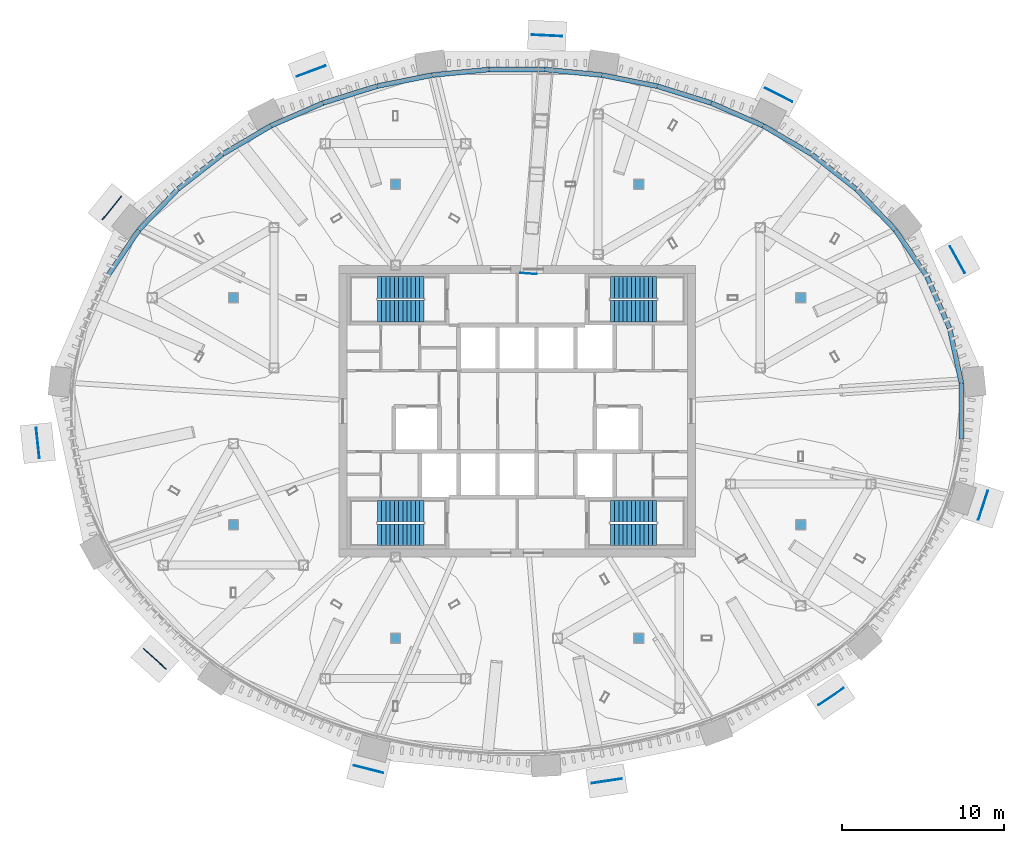
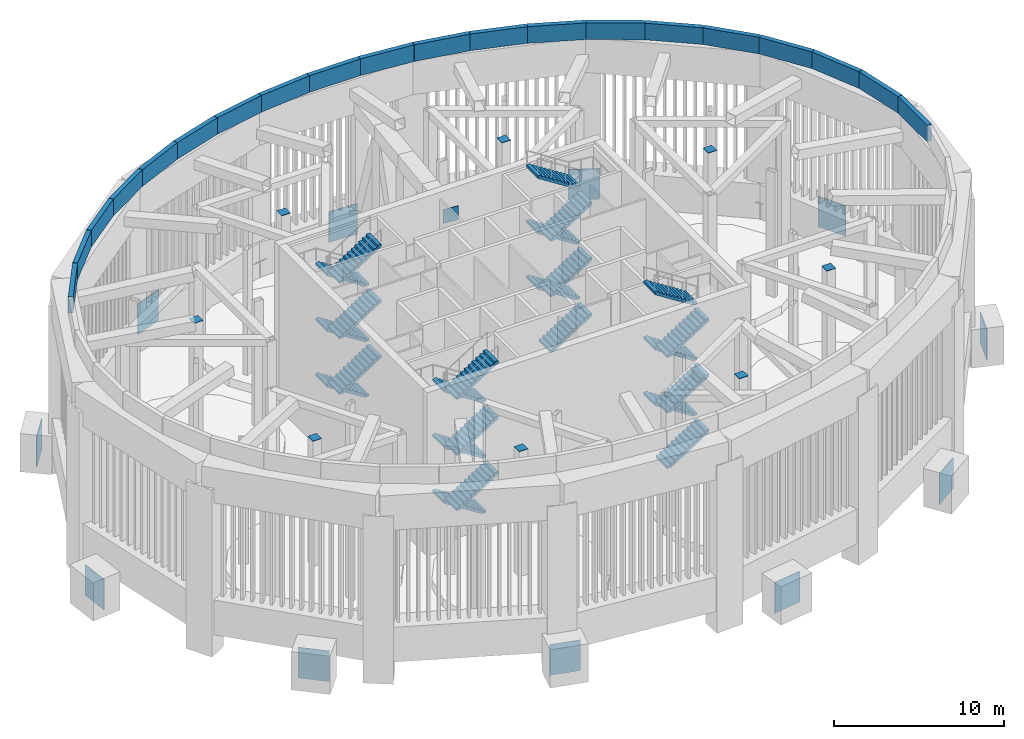
# One storey, part 9 of 14: 24 stair flights, 20 discrete accessories, 20 walls, 4 elements without a shape of their own.
"""IFC4 building model written with IfcOpenShell, lengths in metres."""

from ifc_helpers import new_model, si_unit, direction, frame, frame_2d, origin, origin_2d, place, context, subcontext, project, spatial, polyline, rectangle, outline, extrude, source, transform, mapped, material, layer, layer_set, type_object, element, aggregate, save


model = new_model("IFC4")

# Units and contexts
model_context = context("Model", 3, precision=1e-05, world=origin(), true_north=direction((0.0, 1.0)))
body_context = subcontext(model_context, "Body", "Model", "MODEL_VIEW")
ifc_project = project(units=[si_unit("LENGTHUNIT", "METRE"), si_unit("AREAUNIT", "SQUARE_METRE"), si_unit("VOLUMEUNIT", "CUBIC_METRE"), si_unit("PLANEANGLEUNIT", "RADIAN"), si_unit("MASSUNIT", "GRAM", prefix="KILO")], contexts=[model_context])

# Site, building, storey
site_placement = place(None, origin())
site = spatial("IfcSite", under=ifc_project, at=site_placement, CompositionType="ELEMENT")
building_placement = place(site_placement, origin())
building = spatial("IfcBuilding", under=site, at=building_placement, Name="Embergate Tower", CompositionType="ELEMENT")
storey_placement = place(building_placement, frame((0.0, 0.0, 340.0)))
storey = spatial("IfcBuildingStorey", under=building, at=storey_placement, Name="L79", CompositionType="ELEMENT", Elevation=340.0)

# Walls
ifc_material_1 = material(Name="Brick masonry with terracotta coping", Category="masonry")
ifc_layer = layer(ifc_material_1, 0.300048828125)
ifc_layer_set = layer_set([ifc_layer], Name="Brick masonry with terracotta coping")
wall_type = type_object("IfcWallType", Name="Roof edge parapet", PredefinedType="PARAPET", material=ifc_layer_set)
shared_shape_1 = source(origin(), body_context, "Body", "SweptSolid", [
    extrude(rectangle(XDim=3.449462890625, YDim=0.300048828125, at=frame_2d((1.724609375, 0.0))), origin(), (0.0, 0.0, 1.0), 1.199951171875),
])
wall_1_placement = place(storey_placement, frame((27.40087890625, 1.743896484375, 12.0), z_axis=(0.0, 0.0, 1.0), x_axis=(-0.21041351553, 0.977612475617, 0.0)))
element("IfcWall", 1, at=wall_1_placement, inside=storey, type_object=wall_type, Name="Roof edge parapet 1", PredefinedType="PARAPET", context=body_context, shape_type="MappedRepresentation", body=[
    mapped(shared_shape_1, transform((0.0, 0.0, 0.0))),
])
shared_shape_2 = source(origin(), body_context, "Body", "SweptSolid", [
    extrude(rectangle(XDim=3.453369140625, YDim=0.300048828125, at=frame_2d((1.7265625, 0.0))), origin(), (0.0, 0.0, 1.0), 1.199951171875),
])
wall_2_placement = place(storey_placement, frame((26.6689453125, 5.13525390625, 12.0), z_axis=(0.0, 0.0, 1.0), x_axis=(-0.401627168465, 0.915803263562, 0.0)))
element("IfcWall", 2, at=wall_2_placement, inside=storey, type_object=wall_type, Name="Roof edge parapet 2", PredefinedType="PARAPET", context=body_context, shape_type="MappedRepresentation", body=[
    mapped(shared_shape_2, transform((0.0, 0.0, 0.0))),
])
shared_shape_3 = source(origin(), body_context, "Body", "SweptSolid", [
    extrude(rectangle(XDim=3.455810546875, YDim=0.300048828125, at=frame_2d((1.72802734375, 0.0))), origin(), (0.0, 0.0, 1.0), 1.199951171875),
])
for number, where, z_axis, x_axis, name in (
    (3, (25.2724609375, 8.315185546875, 12.0), (0.0, 0.0, 1.0), (-0.562468457955, 0.826818743018, 0.0), "Roof edge parapet 3"),
    (4, (-23.32861328125, 11.172607421875, 12.0), (0.0, 0.0, 1.0), (-0.562468457955, -0.826818743018, 0.0), "Roof edge parapet 19"),
):
    element("IfcWall", number, at=place(storey_placement, frame(where, z_axis=z_axis, x_axis=x_axis)), inside=storey, type_object=wall_type, Name=name, PredefinedType="PARAPET", context=body_context, shape_type="MappedRepresentation", body=[
        mapped(shared_shape_3, transform((0.0, 0.0, 0.0))),
    ])
shared_shape_4 = source(origin(), body_context, "Body", "SweptSolid", [
    extrude(rectangle(XDim=3.460693359375, YDim=0.300048828125, at=frame_2d((1.73046875, 0.0))), origin(), (0.0, 0.0, 1.0), 1.199951171875),
])
for number, where, z_axis, x_axis, name in (
    (5, (23.316162109375, 11.188232421875, 12.0), (0.0, 0.0, 1.0), (-0.690081348948, 0.723731809329, 0.0), "Roof edge parapet 4"),
    (6, (-20.927978515625, 13.69287109375, 12.0), (0.0, 0.0, 1.0), (-0.690081348948, -0.723731809329, 0.0), "Roof edge parapet 18"),
):
    element("IfcWall", number, at=place(storey_placement, frame(where, z_axis=z_axis, x_axis=x_axis)), inside=storey, type_object=wall_type, Name=name, PredefinedType="PARAPET", context=body_context, shape_type="MappedRepresentation", body=[
        mapped(shared_shape_4, transform((0.0, 0.0, 0.0))),
    ])
shared_shape_5 = source(origin(), body_context, "Body", "SweptSolid", [
    extrude(rectangle(XDim=3.4638671875, YDim=0.300048828125, at=frame_2d((1.73193359375, 0.0))), origin(), (0.0, 0.0, 1.0), 1.199951171875),
])
for number, where, z_axis, x_axis, name in (
    (7, (20.9130859375, 13.706298828125, 12.0), (0.0, 0.0, 1.0), (-0.78821988473, 0.615393705945, 0.0), "Roof edge parapet 5"),
    (8, (-18.182861328125, 15.837890625, 12.0), (0.0, 0.0, 1.0), (-0.78821988473, -0.615393705945, 0.0), "Roof edge parapet 17"),
):
    element("IfcWall", number, at=place(storey_placement, frame(where, z_axis=z_axis, x_axis=x_axis)), inside=storey, type_object=wall_type, Name=name, PredefinedType="PARAPET", context=body_context, shape_type="MappedRepresentation", body=[
        mapped(shared_shape_5, transform((0.0, 0.0, 0.0))),
    ])
shared_shape_6 = source(origin(), body_context, "Body", "SweptSolid", [
    extrude(rectangle(XDim=3.465576171875, YDim=0.300048828125, at=frame_2d((1.73291015625, 0.0))), origin(), (0.0, 0.0, 1.0), 1.199951171875),
])
for number, where, z_axis, x_axis, name in (
    (9, (18.16650390625, 15.84912109375, 12.0), (0.0, 0.0, 1.0), (-0.862144217858, 0.506662952675, 0.0), "Roof edge parapet 6"),
    (10, (-15.1787109375, 17.60498046875, 12.0), (0.0, 0.0, 1.0), (-0.862144217858, -0.506662952675, 0.0), "Roof edge parapet 16"),
):
    element("IfcWall", number, at=place(storey_placement, frame(where, z_axis=z_axis, x_axis=x_axis)), inside=storey, type_object=wall_type, Name=name, PredefinedType="PARAPET", context=body_context, shape_type="MappedRepresentation", body=[
        mapped(shared_shape_6, transform((0.0, 0.0, 0.0))),
    ])
shared_shape_7 = source(origin(), body_context, "Body", "SweptSolid", [
    extrude(rectangle(XDim=3.468505859375, YDim=0.300048828125, at=frame_2d((1.734375, 0.0))), origin(), (0.0, 0.0, 1.0), 1.199951171875),
])
for number, where, z_axis, x_axis, name in (
    (11, (15.160888671875, 17.614013671875, 12.0), (0.0, 0.0, 1.0), (-0.916196102807, 0.400730209994, 0.0), "Roof edge parapet 7"),
    (12, (-11.983154296875, 19.00390625, 12.0), (0.0, 0.0, 1.0), (-0.916196102807, -0.400730209994, 0.0), "Roof edge parapet 15"),
):
    element("IfcWall", number, at=place(storey_placement, frame(where, z_axis=z_axis, x_axis=x_axis)), inside=storey, type_object=wall_type, Name=name, PredefinedType="PARAPET", context=body_context, shape_type="MappedRepresentation", body=[
        mapped(shared_shape_7, transform((0.0, 0.0, 0.0))),
    ])
shared_shape_8 = source(origin(), body_context, "Body", "SweptSolid", [
    extrude(rectangle(XDim=3.469970703125, YDim=0.300048828125, at=frame_2d((1.73486328125, 0.0))), origin(), (0.0, 0.0, 1.0), 1.199951171875),
])
for number, where, z_axis, x_axis, name in (
    (13, (11.964599609375, 19.010986328125, 12.0), (0.0, 0.0, 1.0), (-0.954752495832, 0.297401532784, 0.0), "Roof edge parapet 8"),
    (14, (8.632080078125, 20.048095703125, 12.0), (0.0, 0.0, 1.0), (-0.980502121513, 0.196508497803, 0.0), "Roof edge parapet 9"),
    (15, (-5.229736328125, 20.72998046875, 12.0), (0.0, 0.0, 1.0), (-0.980502121513, -0.196508497803, 0.0), "Roof edge parapet 13"),
    (16, (-8.651611328125, 20.04296875, 12.0), (0.0, 0.0, 1.0), (-0.954752495832, -0.297401532784, 0.0), "Roof edge parapet 14"),
):
    element("IfcWall", number, at=place(storey_placement, frame(where, z_axis=z_axis, x_axis=x_axis)), inside=storey, type_object=wall_type, Name=name, PredefinedType="PARAPET", context=body_context, shape_type="MappedRepresentation", body=[
        mapped(shared_shape_8, transform((0.0, 0.0, 0.0))),
    ])
shared_shape_9 = source(origin(), body_context, "Body", "SweptSolid", [
    extrude(rectangle(XDim=3.470458984375, YDim=0.300048828125, at=frame_2d((1.7353515625, 0.0))), origin(), (0.0, 0.0, 1.0), 1.199951171875),
])
for number, where, z_axis, x_axis, name in (
    (17, (5.2099609375, 20.73291015625, 12.0), (0.0, 0.0, 1.0), (-0.99521458466, 0.097713512271, 0.0), "Roof edge parapet 10"),
    (18, (-1.756103515625, 21.072021484375, 12.0), (0.0, 0.0, 1.0), (-0.99521458466, -0.097713512271, 0.0), "Roof edge parapet 12"),
):
    element("IfcWall", number, at=place(storey_placement, frame(where, z_axis=z_axis, x_axis=x_axis)), inside=storey, type_object=wall_type, Name=name, PredefinedType="PARAPET", context=body_context, shape_type="MappedRepresentation", body=[
        mapped(shared_shape_9, transform((0.0, 0.0, 0.0))),
    ])
shared_shape_10 = source(origin(), body_context, "Body", "SweptSolid", [
    extrude(rectangle(XDim=3.47216796875, YDim=0.300048828125, at=frame_2d((1.736083984375, 0.0))), origin(), (0.0, 0.0, 1.0), 1.199951171875),
])
wall_3_placement = place(storey_placement, frame((1.736083984375, 21.072998046875, 12.0), z_axis=(0.0, 0.0, 1.0), x_axis=(-1.0, 0.0, 0.0)))
element("IfcWall", 19, at=wall_3_placement, inside=storey, type_object=wall_type, Name="Roof edge parapet 11", PredefinedType="PARAPET", context=body_context, shape_type="MappedRepresentation", body=[
    mapped(shared_shape_10, transform((0.0, 0.0, 0.0))),
])
shared_shape_11 = source(origin(), body_context, "Body", "SweptSolid", [
    extrude(rectangle(XDim=3.4482421875, YDim=0.300048828125, at=frame_2d((1.72412109375, 0.0))), origin(), (0.0, 0.0, 1.0), 1.199951171875),
])
wall_4_placement = place(storey_placement, frame((27.403076171875, -1.72412109375, 12.0), z_axis=(0.0, 0.0, 1.0), x_axis=(0.0, 1.0, 0.0)))
element("IfcWall", 20, at=wall_4_placement, inside=storey, type_object=wall_type, Name="Roof edge parapet 44", PredefinedType="PARAPET", context=body_context, shape_type="MappedRepresentation", body=[
    mapped(shared_shape_11, transform((0.0, 0.0, 0.0))),
])

# Stair, stair flights
ifc_material_2 = material(Name="Exit stair")
stair_type = type_object("IfcStairType", Name="Exit stair", PredefinedType="HALF_TURN_STAIR", material=ifc_material_2)
stair_1_placement = place(storey_placement, origin())
stair_1 = element("IfcStair", 21, at=stair_1_placement, inside=storey, type_object=stair_type, Name="L79 Exit stair 1", PredefinedType="HALF_TURN_STAIR")
ifc_material_3 = material(Name="Concrete C40", Category="concrete")
stair_flight_type = type_object("IfcStairFlightType", Name="Stair flight reinforced concrete", PredefinedType="STRAIGHT", material=ifc_material_3)
shared_shape_12 = source(origin(), body_context, "Body", "SweptSolid", [
    extrude(outline(polyline([(0.0, 0.0), (0.0, 0.166748046875), (0.260009765625, 0.166748046875), (0.260009765625, 0.333251953125), (0.52001953125, 0.333251953125), (0.52001953125, 0.5), (0.780029296875, 0.5), (0.780029296875, 0.666748046875), (1.0400390625, 0.666748046875), (1.0400390625, 0.833251953125), (1.300048828125, 0.833251953125), (1.300048828125, 1.0), (1.56005859375, 1.0), (1.56005859375, 1.166748046875), (1.820068359375, 1.166748046875), (1.820068359375, 1.333251953125), (2.080078125, 1.333251953125), (2.080078125, 1.5), (2.340087890625, 1.5), (2.340087890625, 1.666748046875), (2.60009765625, 1.666748046875), (2.60009765625, 1.833251953125), (2.860107421875, 1.833251953125), (2.860107421875, 2.0), (2.860107421875, 1.6552734375), (0.27783203125, 0.0), (0.0, 0.0)])), frame((0.0, 0.675048828125, 0.0), z_axis=(0.0, -1.0, 0.0), x_axis=(1.0, 0.0, 0.0)), (0.0, 0.0, 1.0), 1.35009765625),
])
stair_flight_1_placement = place(storey_placement, frame((-5.75, 7.625, 0.0), z_axis=(0.0, 0.0, 1.0), x_axis=(-1.0, 0.0, 0.0)))
stair_flight_1 = element("IfcStairFlight", 22, at=stair_flight_1_placement, type_object=stair_flight_type, Name="ST1 flight 1", NumberOfRisers=12, NumberOfTreads=11, PredefinedType="STRAIGHT", RiserHeight=0.166666667, TreadLength=0.26, context=body_context, shape_type="MappedRepresentation", body=[
    mapped(shared_shape_12, transform((0.0, 0.0, 0.0))),
])
stair_flight_2_placement = place(storey_placement, frame((-8.610107421875, 6.175048828125, 2.0), z_axis=(0.0, 0.0, 1.0), x_axis=(1.0, 0.0, 0.0)))
stair_flight_2 = element("IfcStairFlight", 23, at=stair_flight_2_placement, type_object=stair_flight_type, Name="ST1 flight 2", NumberOfRisers=12, NumberOfTreads=11, PredefinedType="STRAIGHT", RiserHeight=0.166666667, TreadLength=0.26, context=body_context, shape_type="MappedRepresentation", body=[
    mapped(shared_shape_12, transform((0.0, 0.0, 0.0))),
])
stair_flight_3_placement = place(storey_placement, frame((-5.75, 7.625, 4.0), z_axis=(0.0, 0.0, 1.0), x_axis=(-1.0, 0.0, 0.0)))
stair_flight_3 = element("IfcStairFlight", 24, at=stair_flight_3_placement, type_object=stair_flight_type, Name="ST1 flight 3", NumberOfRisers=12, NumberOfTreads=11, PredefinedType="STRAIGHT", RiserHeight=0.166666667, TreadLength=0.26, context=body_context, shape_type="MappedRepresentation", body=[
    mapped(shared_shape_12, transform((0.0, 0.0, 0.0))),
])
stair_flight_4_placement = place(storey_placement, frame((-8.610107421875, 6.175048828125, 6.0), z_axis=(0.0, 0.0, 1.0), x_axis=(1.0, 0.0, 0.0)))
stair_flight_4 = element("IfcStairFlight", 25, at=stair_flight_4_placement, type_object=stair_flight_type, Name="ST1 flight 4", NumberOfRisers=12, NumberOfTreads=11, PredefinedType="STRAIGHT", RiserHeight=0.166666667, TreadLength=0.26, context=body_context, shape_type="MappedRepresentation", body=[
    mapped(shared_shape_12, transform((0.0, 0.0, 0.0))),
])
stair_flight_5_placement = place(storey_placement, frame((-5.75, 7.625, 8.0), z_axis=(0.0, 0.0, 1.0), x_axis=(-1.0, 0.0, 0.0)))
stair_flight_5 = element("IfcStairFlight", 26, at=stair_flight_5_placement, type_object=stair_flight_type, Name="ST1 flight 5", NumberOfRisers=12, NumberOfTreads=11, PredefinedType="STRAIGHT", RiserHeight=0.166666667, TreadLength=0.26, context=body_context, shape_type="MappedRepresentation", body=[
    mapped(shared_shape_12, transform((0.0, 0.0, 0.0))),
])
stair_flight_6_placement = place(storey_placement, frame((-8.610107421875, 6.175048828125, 10.0), z_axis=(0.0, 0.0, 1.0), x_axis=(1.0, 0.0, 0.0)))
stair_flight_6 = element("IfcStairFlight", 27, at=stair_flight_6_placement, type_object=stair_flight_type, Name="ST1 flight 6", NumberOfRisers=12, NumberOfTreads=11, PredefinedType="STRAIGHT", RiserHeight=0.166666667, TreadLength=0.26, context=body_context, shape_type="MappedRepresentation", body=[
    mapped(shared_shape_12, transform((0.0, 0.0, 0.0))),
])
aggregate(stair_1, [stair_flight_1, stair_flight_2, stair_flight_3, stair_flight_4, stair_flight_5, stair_flight_6])

stair_2_placement = place(storey_placement, origin())
stair_2 = element("IfcStair", 28, at=stair_2_placement, inside=storey, type_object=stair_type, Name="L79 Exit stair 2", PredefinedType="HALF_TURN_STAIR")
stair_flight_7_placement = place(storey_placement, frame((5.75, 6.175048828125, 0.0), z_axis=(0.0, 0.0, 1.0), x_axis=(1.0, 0.0, 0.0)))
stair_flight_7 = element("IfcStairFlight", 29, at=stair_flight_7_placement, type_object=stair_flight_type, Name="ST2 flight 1", NumberOfRisers=12, NumberOfTreads=11, PredefinedType="STRAIGHT", RiserHeight=0.166666667, TreadLength=0.26, context=body_context, shape_type="MappedRepresentation", body=[
    mapped(shared_shape_12, transform((0.0, 0.0, 0.0))),
])
stair_flight_8_placement = place(storey_placement, frame((8.610107421875, 7.625, 2.0), z_axis=(0.0, 0.0, 1.0), x_axis=(-1.0, 0.0, 0.0)))
stair_flight_8 = element("IfcStairFlight", 30, at=stair_flight_8_placement, type_object=stair_flight_type, Name="ST2 flight 2", NumberOfRisers=12, NumberOfTreads=11, PredefinedType="STRAIGHT", RiserHeight=0.166666667, TreadLength=0.26, context=body_context, shape_type="MappedRepresentation", body=[
    mapped(shared_shape_12, transform((0.0, 0.0, 0.0))),
])
stair_flight_9_placement = place(storey_placement, frame((5.75, 6.175048828125, 4.0), z_axis=(0.0, 0.0, 1.0), x_axis=(1.0, 0.0, 0.0)))
stair_flight_9 = element("IfcStairFlight", 31, at=stair_flight_9_placement, type_object=stair_flight_type, Name="ST2 flight 3", NumberOfRisers=12, NumberOfTreads=11, PredefinedType="STRAIGHT", RiserHeight=0.166666667, TreadLength=0.26, context=body_context, shape_type="MappedRepresentation", body=[
    mapped(shared_shape_12, transform((0.0, 0.0, 0.0))),
])
stair_flight_10_placement = place(storey_placement, frame((8.610107421875, 7.625, 6.0), z_axis=(0.0, 0.0, 1.0), x_axis=(-1.0, 0.0, 0.0)))
stair_flight_10 = element("IfcStairFlight", 32, at=stair_flight_10_placement, type_object=stair_flight_type, Name="ST2 flight 4", NumberOfRisers=12, NumberOfTreads=11, PredefinedType="STRAIGHT", RiserHeight=0.166666667, TreadLength=0.26, context=body_context, shape_type="MappedRepresentation", body=[
    mapped(shared_shape_12, transform((0.0, 0.0, 0.0))),
])
stair_flight_11_placement = place(storey_placement, frame((5.75, 6.175048828125, 8.0), z_axis=(0.0, 0.0, 1.0), x_axis=(1.0, 0.0, 0.0)))
stair_flight_11 = element("IfcStairFlight", 33, at=stair_flight_11_placement, type_object=stair_flight_type, Name="ST2 flight 5", NumberOfRisers=12, NumberOfTreads=11, PredefinedType="STRAIGHT", RiserHeight=0.166666667, TreadLength=0.26, context=body_context, shape_type="MappedRepresentation", body=[
    mapped(shared_shape_12, transform((0.0, 0.0, 0.0))),
])
stair_flight_12_placement = place(storey_placement, frame((8.610107421875, 7.625, 10.0), z_axis=(0.0, 0.0, 1.0), x_axis=(-1.0, 0.0, 0.0)))
stair_flight_12 = element("IfcStairFlight", 34, at=stair_flight_12_placement, type_object=stair_flight_type, Name="ST2 flight 6", NumberOfRisers=12, NumberOfTreads=11, PredefinedType="STRAIGHT", RiserHeight=0.166666667, TreadLength=0.26, context=body_context, shape_type="MappedRepresentation", body=[
    mapped(shared_shape_12, transform((0.0, 0.0, 0.0))),
])
aggregate(stair_2, [stair_flight_7, stair_flight_8, stair_flight_9, stair_flight_10, stair_flight_11, stair_flight_12])

stair_3_placement = place(storey_placement, origin())
stair_3 = element("IfcStair", 35, at=stair_3_placement, inside=storey, type_object=stair_type, Name="L79 Exit stair 3", PredefinedType="HALF_TURN_STAIR")
stair_flight_13_placement = place(storey_placement, frame((-5.75, -6.175048828125, 0.0), z_axis=(0.0, 0.0, 1.0), x_axis=(-1.0, 0.0, 0.0)))
stair_flight_13 = element("IfcStairFlight", 36, at=stair_flight_13_placement, type_object=stair_flight_type, Name="ST3 flight 1", NumberOfRisers=12, NumberOfTreads=11, PredefinedType="STRAIGHT", RiserHeight=0.166666667, TreadLength=0.26, context=body_context, shape_type="MappedRepresentation", body=[
    mapped(shared_shape_12, transform((0.0, 0.0, 0.0))),
])
stair_flight_14_placement = place(storey_placement, frame((-8.610107421875, -7.625, 2.0), z_axis=(0.0, 0.0, 1.0), x_axis=(1.0, 0.0, 0.0)))
stair_flight_14 = element("IfcStairFlight", 37, at=stair_flight_14_placement, type_object=stair_flight_type, Name="ST3 flight 2", NumberOfRisers=12, NumberOfTreads=11, PredefinedType="STRAIGHT", RiserHeight=0.166666667, TreadLength=0.26, context=body_context, shape_type="MappedRepresentation", body=[
    mapped(shared_shape_12, transform((0.0, 0.0, 0.0))),
])
stair_flight_15_placement = place(storey_placement, frame((-5.75, -6.175048828125, 4.0), z_axis=(0.0, 0.0, 1.0), x_axis=(-1.0, 0.0, 0.0)))
stair_flight_15 = element("IfcStairFlight", 38, at=stair_flight_15_placement, type_object=stair_flight_type, Name="ST3 flight 3", NumberOfRisers=12, NumberOfTreads=11, PredefinedType="STRAIGHT", RiserHeight=0.166666667, TreadLength=0.26, context=body_context, shape_type="MappedRepresentation", body=[
    mapped(shared_shape_12, transform((0.0, 0.0, 0.0))),
])
stair_flight_16_placement = place(storey_placement, frame((-8.610107421875, -7.625, 6.0), z_axis=(0.0, 0.0, 1.0), x_axis=(1.0, 0.0, 0.0)))
stair_flight_16 = element("IfcStairFlight", 39, at=stair_flight_16_placement, type_object=stair_flight_type, Name="ST3 flight 4", NumberOfRisers=12, NumberOfTreads=11, PredefinedType="STRAIGHT", RiserHeight=0.166666667, TreadLength=0.26, context=body_context, shape_type="MappedRepresentation", body=[
    mapped(shared_shape_12, transform((0.0, 0.0, 0.0))),
])
stair_flight_17_placement = place(storey_placement, frame((-5.75, -6.175048828125, 8.0), z_axis=(0.0, 0.0, 1.0), x_axis=(-1.0, 0.0, 0.0)))
stair_flight_17 = element("IfcStairFlight", 40, at=stair_flight_17_placement, type_object=stair_flight_type, Name="ST3 flight 5", NumberOfRisers=12, NumberOfTreads=11, PredefinedType="STRAIGHT", RiserHeight=0.166666667, TreadLength=0.26, context=body_context, shape_type="MappedRepresentation", body=[
    mapped(shared_shape_12, transform((0.0, 0.0, 0.0))),
])
stair_flight_18_placement = place(storey_placement, frame((-8.610107421875, -7.625, 10.0), z_axis=(0.0, 0.0, 1.0), x_axis=(1.0, 0.0, 0.0)))
stair_flight_18 = element("IfcStairFlight", 41, at=stair_flight_18_placement, type_object=stair_flight_type, Name="ST3 flight 6", NumberOfRisers=12, NumberOfTreads=11, PredefinedType="STRAIGHT", RiserHeight=0.166666667, TreadLength=0.26, context=body_context, shape_type="MappedRepresentation", body=[
    mapped(shared_shape_12, transform((0.0, 0.0, 0.0))),
])
aggregate(stair_3, [stair_flight_13, stair_flight_14, stair_flight_15, stair_flight_16, stair_flight_17, stair_flight_18])

stair_4_placement = place(storey_placement, origin())
stair_4 = element("IfcStair", 42, at=stair_4_placement, inside=storey, type_object=stair_type, Name="L79 Exit stair 4", PredefinedType="HALF_TURN_STAIR")
stair_flight_19_placement = place(storey_placement, frame((5.75, -7.625, 0.0), z_axis=(0.0, 0.0, 1.0), x_axis=(1.0, 0.0, 0.0)))
stair_flight_19 = element("IfcStairFlight", 43, at=stair_flight_19_placement, type_object=stair_flight_type, Name="ST4 flight 1", NumberOfRisers=12, NumberOfTreads=11, PredefinedType="STRAIGHT", RiserHeight=0.166666667, TreadLength=0.26, context=body_context, shape_type="MappedRepresentation", body=[
    mapped(shared_shape_12, transform((0.0, 0.0, 0.0))),
])
stair_flight_20_placement = place(storey_placement, frame((8.610107421875, -6.175048828125, 2.0), z_axis=(0.0, 0.0, 1.0), x_axis=(-1.0, 0.0, 0.0)))
stair_flight_20 = element("IfcStairFlight", 44, at=stair_flight_20_placement, type_object=stair_flight_type, Name="ST4 flight 2", NumberOfRisers=12, NumberOfTreads=11, PredefinedType="STRAIGHT", RiserHeight=0.166666667, TreadLength=0.26, context=body_context, shape_type="MappedRepresentation", body=[
    mapped(shared_shape_12, transform((0.0, 0.0, 0.0))),
])
stair_flight_21_placement = place(storey_placement, frame((5.75, -7.625, 4.0), z_axis=(0.0, 0.0, 1.0), x_axis=(1.0, 0.0, 0.0)))
stair_flight_21 = element("IfcStairFlight", 45, at=stair_flight_21_placement, type_object=stair_flight_type, Name="ST4 flight 3", NumberOfRisers=12, NumberOfTreads=11, PredefinedType="STRAIGHT", RiserHeight=0.166666667, TreadLength=0.26, context=body_context, shape_type="MappedRepresentation", body=[
    mapped(shared_shape_12, transform((0.0, 0.0, 0.0))),
])
stair_flight_22_placement = place(storey_placement, frame((8.610107421875, -6.175048828125, 6.0), z_axis=(0.0, 0.0, 1.0), x_axis=(-1.0, 0.0, 0.0)))
stair_flight_22 = element("IfcStairFlight", 46, at=stair_flight_22_placement, type_object=stair_flight_type, Name="ST4 flight 4", NumberOfRisers=12, NumberOfTreads=11, PredefinedType="STRAIGHT", RiserHeight=0.166666667, TreadLength=0.26, context=body_context, shape_type="MappedRepresentation", body=[
    mapped(shared_shape_12, transform((0.0, 0.0, 0.0))),
])
stair_flight_23_placement = place(storey_placement, frame((5.75, -7.625, 8.0), z_axis=(0.0, 0.0, 1.0), x_axis=(1.0, 0.0, 0.0)))
stair_flight_23 = element("IfcStairFlight", 47, at=stair_flight_23_placement, type_object=stair_flight_type, Name="ST4 flight 5", NumberOfRisers=12, NumberOfTreads=11, PredefinedType="STRAIGHT", RiserHeight=0.166666667, TreadLength=0.26, context=body_context, shape_type="MappedRepresentation", body=[
    mapped(shared_shape_12, transform((0.0, 0.0, 0.0))),
])
stair_flight_24_placement = place(storey_placement, frame((8.610107421875, -6.175048828125, 10.0), z_axis=(0.0, 0.0, 1.0), x_axis=(-1.0, 0.0, 0.0)))
stair_flight_24 = element("IfcStairFlight", 48, at=stair_flight_24_placement, type_object=stair_flight_type, Name="ST4 flight 6", NumberOfRisers=12, NumberOfTreads=11, PredefinedType="STRAIGHT", RiserHeight=0.166666667, TreadLength=0.26, context=body_context, shape_type="MappedRepresentation", body=[
    mapped(shared_shape_12, transform((0.0, 0.0, 0.0))),
])
aggregate(stair_4, [stair_flight_19, stair_flight_20, stair_flight_21, stair_flight_22, stair_flight_23, stair_flight_24])

# Discrete accessories
ifc_material_4 = material(Name="Steel Q355B plate with headed studs", Category="steel")
discrete_accessory_type_1 = type_object("IfcDiscreteAccessoryType", Name="Cast-in embed plate with headed anchors 1000x1000", PredefinedType="USERDEFINED", material=ifc_material_4)
shared_shape_13 = source(origin(), body_context, "Body", "SweptSolid", [
    extrude(rectangle(XDim=0.030029296875, YDim=1.0, at=origin_2d()), origin(), (0.0, 0.0, 1.0), 1.0),
])
discrete_accessory_placement = place(storey_placement, frame((0.700927734375, 8.487060546875, 9.39990234375), z_axis=(0.0, 0.0, 1.0), x_axis=(0.082355971922, 0.996602977062, 0.0)))
element("IfcDiscreteAccessory", 49, at=discrete_accessory_placement, inside=storey, type_object=discrete_accessory_type_1, Name="Cast-in embed plate", ObjectType="BRACKET", PredefinedType="USERDEFINED", context=body_context, shape_type="MappedRepresentation", body=[
    mapped(shared_shape_13, transform((0.0, 0.0, 0.0))),
])
ifc_material_5 = material(Name="Steel Q355D plate", Category="steel")
discrete_accessory_type_2 = type_object("IfcDiscreteAccessoryType", Name="Lattice node plate", PredefinedType="USERDEFINED", material=ifc_material_5)
shared_shape_14 = source(origin(), body_context, "Body", "SweptSolid", [
    extrude(rectangle(XDim=1.8798828125, YDim=0.050048828125, at=origin_2d()), origin(), (0.0, 0.0, 1.0), 2.199951171875),
])
for number, where, z_axis, x_axis, name in (
    (50, (27.156005859375, 9.35302734375, -1.10009765625), (0.0, 0.0, 1.0), (-0.486838556403, 0.873491969053, 0.0), "Node plate"),
    (51, (16.132080078125, 19.5048828125, -1.10009765625), (0.0, 0.0, 1.0), (-0.891513080478, 0.452994952881, 0.0), "Node plate"),
    (52, (1.847900390625, 23.1708984375, -1.10009765625), (0.0, 0.0, 1.0), (-0.998807841912, 0.048814904854, 0.0), "Node plate"),
    (53, (-12.705078125, 20.97607421875, -1.10009765625), (0.0, 0.0, 1.0), (-0.93736713373, -0.348343015724, 0.0), "Node plate"),
    (54, (-24.990966796875, 12.5380859375, -1.10009765625), (0.0, 0.0, 1.0), (-0.630838328377, -0.775914301615, 0.0), "Node plate"),
    (55, (-29.56591796875, -1.966064453125, -1.10009765625), (0.0, 0.0, 1.0), (0.106749983816, -0.99428589498, 0.0), "Node plate"),
    (56, (-22.343017578125, -15.279052734375, -1.10009765625), (0.0, 0.0, 1.0), (0.74307475021, -0.669208424634, 0.0), "Node plate"),
    (57, (-9.159912109375, -22.0810546875, -1.10009765625), (0.0, 0.0, 1.0), (0.969144926951, -0.246491603437, 0.0), "Node plate"),
    (58, (5.528076171875, -22.80908203125, -1.10009765625), (0.0, 0.0, 1.0), (0.989147039346, 0.146929011949, 0.0), "Node plate"),
    (59, (19.365966796875, -17.60400390625, -1.10009765625), (0.0, 0.0, 1.0), (0.828226643109, 0.560393279442, 0.0), "Node plate"),
    (60, (28.740966796875, -5.800048828125, -1.10009765625), (0.0, 0.0, 1.0), (0.309946394413, 0.950754033697, 0.0), "Node plate"),
):
    element("IfcDiscreteAccessory", number, at=place(storey_placement, frame(where, z_axis=z_axis, x_axis=x_axis)), inside=storey, type_object=discrete_accessory_type_2, Name=name, ObjectType="BRACKET", PredefinedType="USERDEFINED", context=body_context, shape_type="MappedRepresentation", body=[
        mapped(shared_shape_14, transform((0.0, 0.0, 0.0))),
    ])
discrete_accessory_type_3 = type_object("IfcDiscreteAccessoryType", Name="Member end plate 600x30", PredefinedType="USERDEFINED", material=ifc_material_5)
shared_shape_15 = source(origin(), body_context, "Body", "SweptSolid", [
    extrude(rectangle(XDim=0.60009765625, YDim=0.60009765625, at=origin_2d()), origin(), (0.0, 0.0, 1.0), 0.030029296875),
])
for number, where, z_axis, x_axis, name in (
    (61, (17.5, 7.0, 9.60009765625), (0.0, 0.0, 1.0), (1.0, 0.0, 0.0), "End plate"),
    (62, (17.5, -7.0, 9.60009765625), (0.0, 0.0, 1.0), (1.0, 0.0, 0.0), "End plate"),
    (63, (-17.5, 7.0, 9.60009765625), (0.0, 0.0, 1.0), (1.0, 0.0, 0.0), "End plate"),
    (64, (-17.5, -7.0, 9.60009765625), (0.0, 0.0, 1.0), (1.0, 0.0, 0.0), "End plate"),
    (65, (7.5, 14.0, 9.60009765625), (0.0, 0.0, 1.0), (1.0, 0.0, 0.0), "End plate"),
    (66, (-7.5, 14.0, 9.60009765625), (0.0, 0.0, 1.0), (1.0, 0.0, 0.0), "End plate"),
    (67, (7.5, -14.0, 9.60009765625), (0.0, 0.0, 1.0), (1.0, 0.0, 0.0), "End plate"),
    (68, (-7.5, -14.0, 9.60009765625), (0.0, 0.0, 1.0), (1.0, 0.0, 0.0), "End plate"),
):
    element("IfcDiscreteAccessory", number, at=place(storey_placement, frame(where, z_axis=z_axis, x_axis=x_axis)), inside=storey, type_object=discrete_accessory_type_3, Name=name, ObjectType="BRACKET", PredefinedType="USERDEFINED", context=body_context, shape_type="MappedRepresentation", body=[
        mapped(shared_shape_15, transform((0.0, 0.0, 0.0))),
    ])

save(model, "model.ifc")
